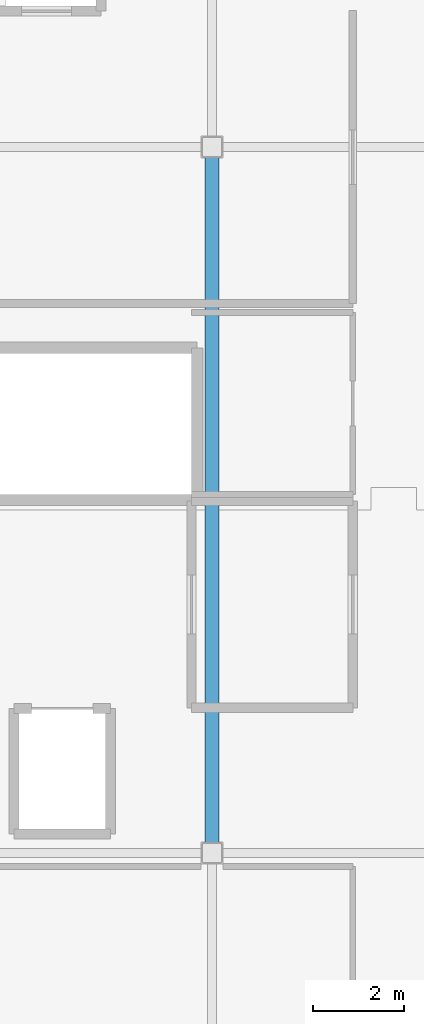
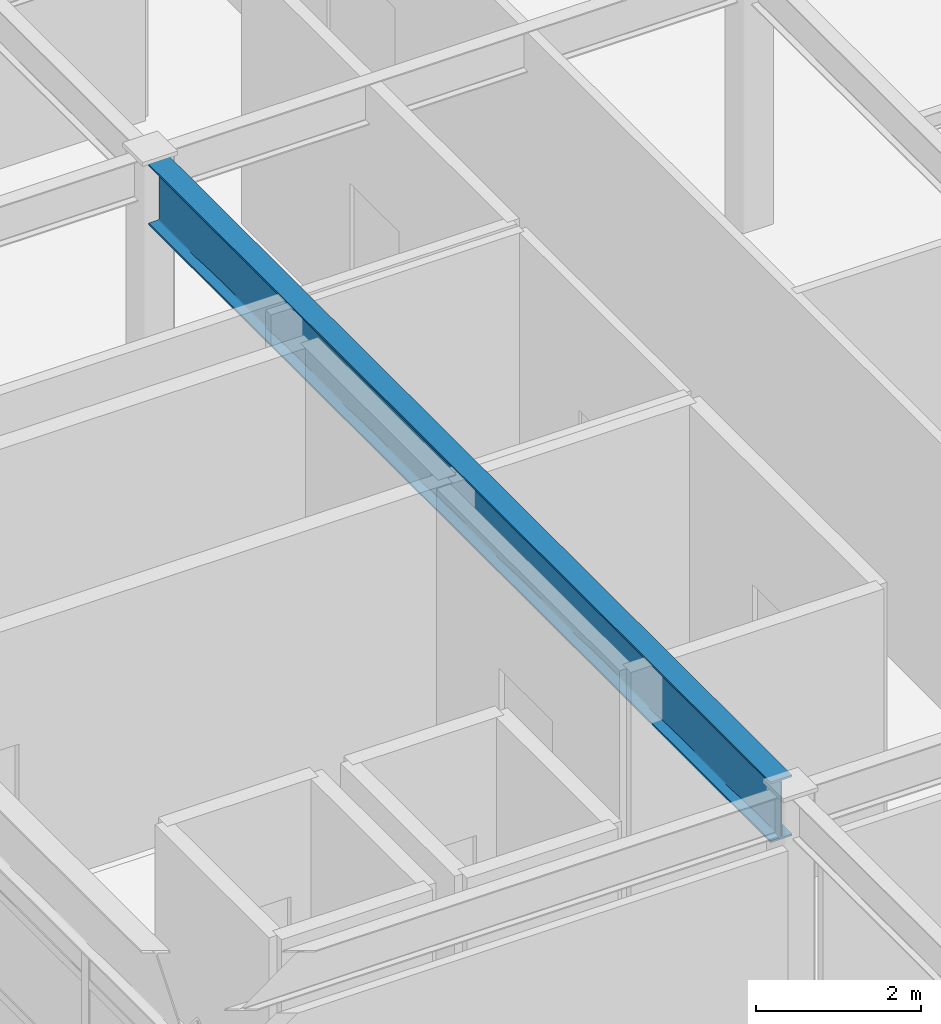
# One storey, part 17 of 34: 1 beam.
"""IFC4 building model written with IfcOpenShell, lengths in metres."""

from ifc_helpers import new_model, si_unit, direction, frame, origin, origin_2d, place, context, subcontext, project, spatial, i_section, extrude, material, material_profile, profile_set, type_object, element, save


model = new_model("IFC4")

# Units and contexts
model_context = context("Model", 3, precision=1e-05, world=origin(), true_north=direction((0.0, 1.0)))
body_context = subcontext(model_context, "Body", "Model", "MODEL_VIEW")
ifc_project = project(units=[si_unit("LENGTHUNIT", "METRE"), si_unit("AREAUNIT", "SQUARE_METRE"), si_unit("VOLUMEUNIT", "CUBIC_METRE"), si_unit("PLANEANGLEUNIT", "RADIAN"), si_unit("MASSUNIT", "GRAM", prefix="KILO")], contexts=[model_context])

# Site, building, storey
site_placement = place(None, origin())
site = spatial("IfcSite", under=ifc_project, at=site_placement, CompositionType="ELEMENT")
building_placement = place(site_placement, origin())
building = spatial("IfcBuilding", under=site, at=building_placement, Name="Kazehara Bluff Congress Hotel", CompositionType="ELEMENT")
storey_placement = place(building_placement, frame((0.0, 0.0, 46.199951171875)))
storey = spatial("IfcBuildingStorey", under=building, at=storey_placement, Name="L11", CompositionType="ELEMENT", Elevation=46.199951171875)

# Beam
ifc_material = material(Name="Steel SN490B", Category="steel")
ifc_material_profile = material_profile(ifc_material, i_section(OverallWidth=0.300048828125, OverallDepth=0.89990234375, WebThickness=0.01611328125, FlangeThickness=0.028076171875, FilletRadius=0.01806640625, at=origin_2d()))
ifc_profile_set = profile_set([ifc_material_profile], Name="Steel SN490B")
beam_type = type_object("IfcBeamType", Name="TP-G-08", PredefinedType="BEAM", material=ifc_profile_set)
beam_placement = place(storey_placement, frame((152.10009765625, 41.125, 3.5), z_axis=(0.0, 1.0, 0.0), x_axis=(-1.0, 0.0, 0.0)))
element("IfcBeam", 1, at=beam_placement, inside=storey, type_object=beam_type, Name="L11 girder G-08 11", PredefinedType="BEAM", context=body_context, shape_type="SweptSolid", body=[
    extrude(i_section(OverallWidth=0.300048828125, OverallDepth=0.89990234375, WebThickness=0.01611328125, FlangeThickness=0.028076171875, FilletRadius=0.01806640625, at=origin_2d()), origin(), (0.0, 0.0, 1.0), 15.10009765625),
])

save(model, "model.ifc")
